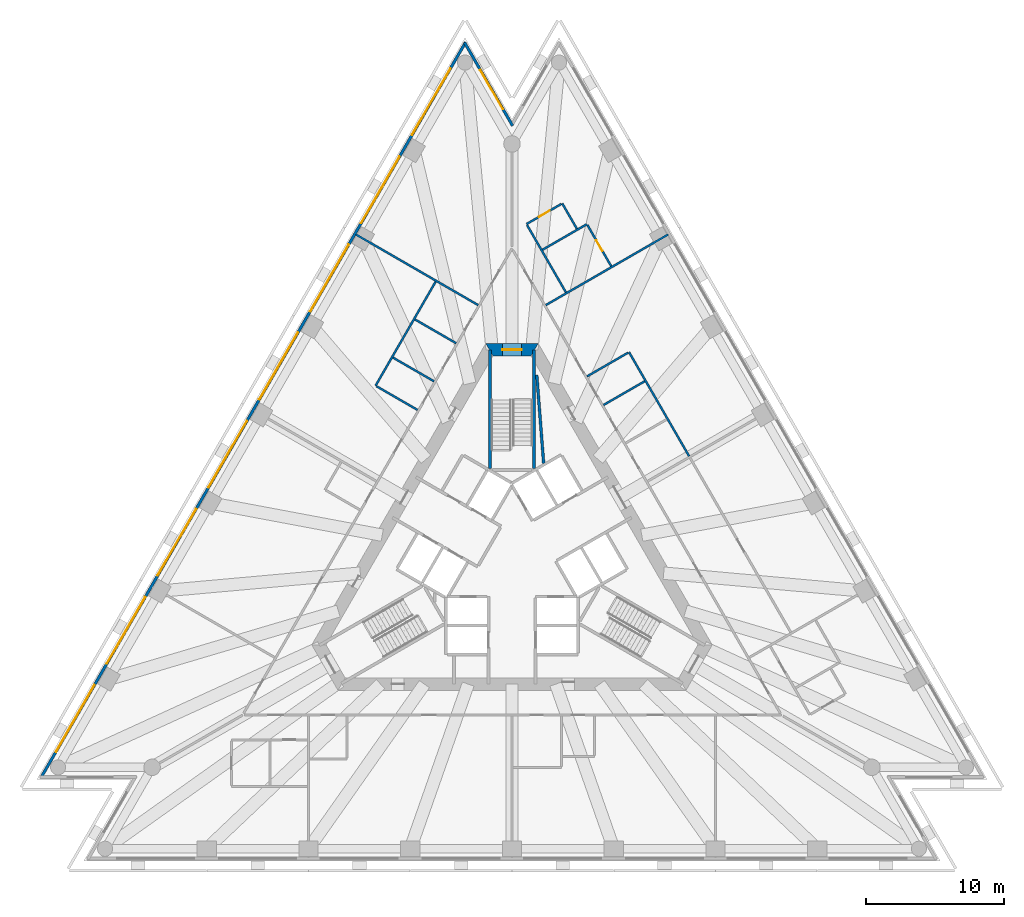
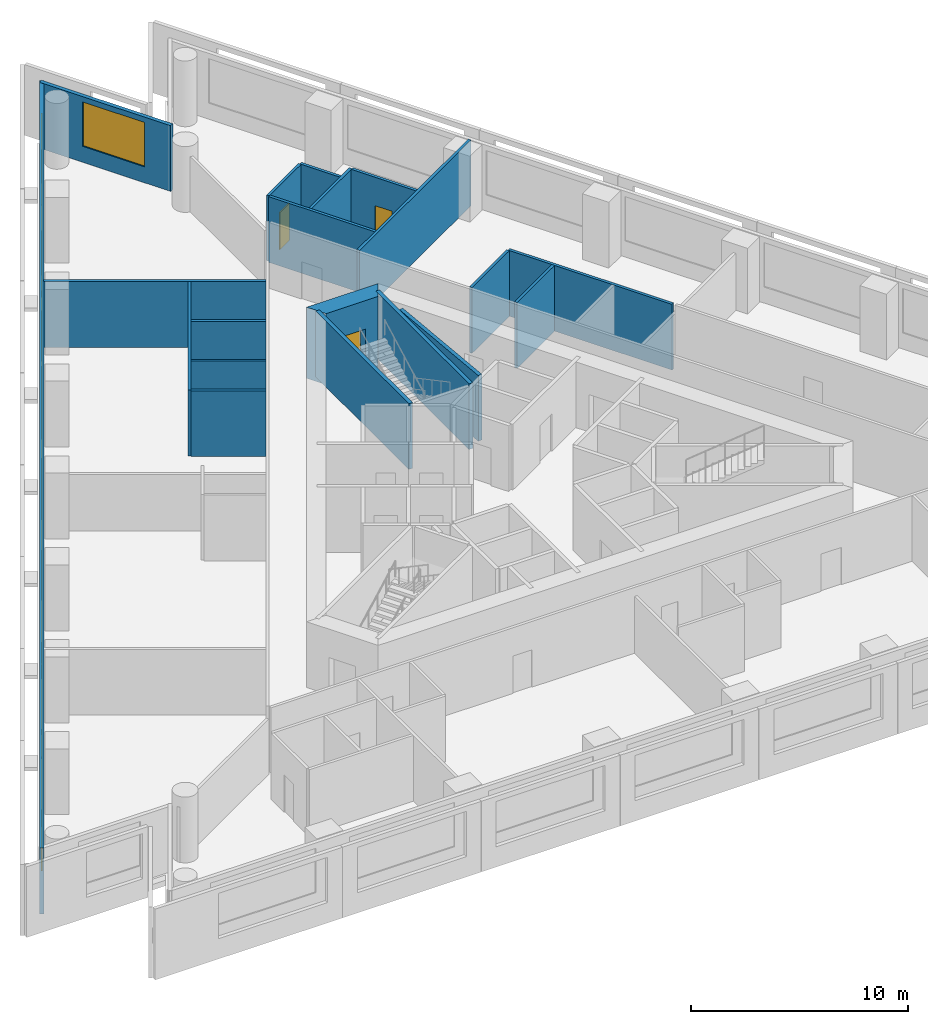
# One storey, part 7 of 11: 20 walls, 9 windows, 3 doors, 12 openings.
"""IFC4 building model written with IfcOpenShell, lengths in metres."""

from ifc_helpers import new_model, si_unit, direction, frame, frame_2d, origin, place, context, subcontext, project, spatial, polyline, rectangle, outline, extrude, material, layer, layer_set, layer_usage, type_object, element, fill, save


model = new_model("IFC4")

# Units and contexts
model_context = context("Model", 3, precision=1e-05, world=origin(), true_north=direction((0.0, 1.0)))
body_context = subcontext(model_context, "Body", "Model", "MODEL_VIEW")
ifc_project = project(units=[si_unit("LENGTHUNIT", "METRE"), si_unit("AREAUNIT", "SQUARE_METRE"), si_unit("VOLUMEUNIT", "CUBIC_METRE"), si_unit("PLANEANGLEUNIT", "RADIAN"), si_unit("MASSUNIT", "GRAM", prefix="KILO")], contexts=[model_context])

# Site, building, storey
site_placement = place(None, origin())
site = spatial("IfcSite", under=ifc_project, at=site_placement, CompositionType="ELEMENT")
building_placement = place(site_placement, origin())
building = spatial("IfcBuilding", under=site, at=building_placement, Name="Triada Interchange Tower", CompositionType="ELEMENT")
storey_placement = place(building_placement, frame((0.0, 0.0, 63.300048828125)))
storey = spatial("IfcBuildingStorey", under=building, at=storey_placement, Name="L13", CompositionType="ELEMENT", Elevation=63.300048828125)

# Walls
ifc_material_1 = material(Name="Concrete C30/37", Category="concrete")
ifc_layer_1 = layer(ifc_material_1, 0.199951171875)
ifc_layer_set_1 = layer_set([ifc_layer_1], Name="CORE WALL 200 EI 90")
wall_type_1 = type_object("IfcWallType", Name="CORE WALL 200 EI 90", PredefinedType="SOLIDWALL", material=ifc_layer_set_1)
wall_1_placement = place(storey_placement, frame((1.800048828125, 13.406005859375, 0.0), z_axis=(0.0, 0.0, 1.0), x_axis=(0.077809933421, -0.996968211259, 0.0)))
element("IfcWall", 1, at=wall_1_placement, inside=storey, type_object=wall_type_1, Name="Wall L12 86", PredefinedType="SOLIDWALL", context=body_context, shape_type="SweptSolid", body=[
    extrude(rectangle(XDim=6.4384765625, YDim=0.199951171875, at=frame_2d((3.21923828125, 0.0))), origin(), (0.0, 0.0, 1.0), 3.699951171875),
])
ifc_layer_2 = layer(ifc_material_1, 0.199951171875)
ifc_layer_set_2 = layer_set([ifc_layer_2], Name="CORE WALL 200 REI 240")
wall_type_2 = type_object("IfcWallType", Name="CORE WALL 200 REI 240", PredefinedType="SOLIDWALL", material=ifc_layer_set_2)
for number, where, z_axis, x_axis, name in (
    (2, (1.60009765625, 6.614990234375, 0.0), (0.0, 0.0, 1.0), (0.0, 1.0, 0.0), "Wall L12 90"),
    (3, (-1.60009765625, 6.614990234375, 0.0), (0.0, 0.0, 1.0), (0.0, 1.0, 0.0), "Wall L12 92"),
):
    element("IfcWall", number, at=place(storey_placement, frame(where, z_axis=z_axis, x_axis=x_axis)), inside=storey, type_object=wall_type_2, Name=name, PredefinedType="SOLIDWALL", context=body_context, shape_type="SweptSolid", body=[
        extrude(rectangle(XDim=8.614990234375, YDim=0.199951171875, at=frame_2d((4.3076171875, 0.0))), origin(), (0.0, 0.0, 1.0), 3.699951171875),
    ])

# Wall, opening, door
ifc_material_2 = material(Name="Concrete C70/85", Category="concrete")
ifc_layer_3 = layer(ifc_material_2, 0.89990234375)
ifc_layer_set_3 = layer_set([ifc_layer_3], Name="Core wall A 900")
wall_type_3 = type_object("IfcWallType", Name="Core wall A 900", PredefinedType="SHEAR", material=ifc_layer_set_3)
wall_2_placement = place(storey_placement, frame((1.64501953125, 15.25, -0.300048828125), z_axis=(0.0, 0.0, 1.0), x_axis=(-1.0, 0.0, 0.0)))
wall_2 = element("IfcWall", 4, at=wall_2_placement, inside=storey, type_object=wall_type_3, Name="Core wall WA01 L13", PredefinedType="SHEAR", context=body_context, shape_type="SweptSolid", body=[
    extrude(outline(polyline([(-0.260009765625, -0.449951171875), (1.64501953125, -0.449951171875), (3.550048828125, -0.449951171875), (3.031005859375, 0.449951171875), (1.64501953125, 0.449951171875), (0.259033203125, 0.449951171875), (-0.260009765625, -0.449951171875)])), origin(), (0.0, 0.0, 1.0), 4.0),
])
opening_1_placement = place(wall_2_placement, frame((0.945068359375, 0.0, 0.300048828125)))
opening_1 = element("IfcOpeningElement", 5, at=opening_1_placement, cuts=wall_2, Name="Opening D12-41", PredefinedType="OPENING", context=body_context, shape_type="SweptSolid", body=[
    extrude(rectangle(XDim=1.39990234375, YDim=2.10009765625, at=frame_2d((0.699951171875, 1.050048828125))), frame((0.0, 0.4599609375, 0.0), z_axis=(0.0, -1.0, 0.0), x_axis=(1.0, 0.0, 0.0)), (0.0, 0.0, 1.0), 0.919921875),
])
ifc_material_3 = material(Name="Steel S235 door leaf", Category="steel")
door_type_1 = type_object("IfcDoorType", Name="STAIR DOOR 1400 EI2 90-C5S200", OperationType="DOUBLE_DOOR_SINGLE_SWING", PredefinedType="DOOR", material=ifc_material_3)
door_1_placement = place(opening_1_placement, origin())
door_1 = element("IfcDoor", 6, at=door_1_placement, inside=storey, type_object=door_type_1, Name="Door D12-41 L13", OperationType="DOUBLE_DOOR_SINGLE_SWING", OverallHeight=2.10009765625, OverallWidth=1.39990234375, PredefinedType="DOOR", context=body_context, shape_type="SweptSolid", body=[
    extrude(rectangle(XDim=1.39990234375, YDim=2.10009765625, at=frame_2d((0.699951171875, 1.050048828125))), frame((0.0, 0.02490234375, 0.0), z_axis=(0.0, -1.0, 0.0), x_axis=(1.0, 0.0, 0.0)), (0.0, 0.0, 1.0), 0.050048828125),
])
fill(opening_1, door_1)

# Wall, openings, windows
ifc_material_4 = material(Name="Cement board")
ifc_layer_4 = layer(ifc_material_4, 0.02001953125, Name="Cement board cladding")
ifc_material_5 = material(Name="Sheathing board")
ifc_layer_5 = layer(ifc_material_5, 0.014892578125, Name="Sheathing board")
ifc_material_6 = material(Name="Mineral wool")
ifc_layer_6 = layer(ifc_material_6, 0.14990234375, Name="Mineral wool between steel studs")
ifc_material_7 = material(Name="Gypsum board")
ifc_layer_7 = layer(ifc_material_7, 0.014892578125, Name="Plasterboard lining")
ifc_layer_set_4 = layer_set([ifc_layer_4, ifc_layer_5, ifc_layer_6, ifc_layer_7], Name="External wall 200")
ifc_layer_usage = layer_usage(ifc_layer_set_4, "AXIS2", "POSITIVE", -0.10009765625)
wall_type_4 = type_object("IfcWallType", Name="External wall 200", PredefinedType="ELEMENTEDWALL", material=ifc_layer_set_4)
wall_3_placement = place(storey_placement, frame((-3.37109375, 37.591064453125, 0.0), z_axis=(0.0, 0.0, 1.0), x_axis=(-0.500006313899, -0.866021758423, 0.0)))
wall_3 = element("IfcWall", 7, at=wall_3_placement, inside=storey, type_object=wall_type_4, material=ifc_layer_usage, Name="External wall L13 NW", PredefinedType="ELEMENTEDWALL", context=body_context, shape_type="SweptSolid", body=[
    extrude(rectangle(XDim=61.718994140625, YDim=0.199951171875, at=frame_2d((30.859375, 0.0))), origin(), (0.0, 0.0, 1.0), 3.699951171875),
])
opening_2_placement = place(wall_3_placement, frame((2.197998046875, 0.0, 0.89990234375)))
opening_2 = element("IfcOpeningElement", 8, at=opening_2_placement, cuts=wall_3, Name="Opening WA01", PredefinedType="OPENING", context=body_context, shape_type="SweptSolid", body=[
    extrude(rectangle(XDim=5.60009765625, YDim=2.5, at=frame_2d((2.800048828125, 1.25))), frame((0.0, 0.10986328125, 0.0), z_axis=(0.0, -1.0, 0.0), x_axis=(1.0, 0.0, 0.0)), (0.0, 0.0, 1.0), 0.219970703125),
])
opening_3_placement = place(wall_3_placement, frame((9.590087890625, 0.0, 0.89990234375)))
opening_3 = element("IfcOpeningElement", 9, at=opening_3_placement, cuts=wall_3, Name="Opening WA02", PredefinedType="OPENING", context=body_context, shape_type="SweptSolid", body=[
    extrude(rectangle(XDim=5.60009765625, YDim=2.5, at=frame_2d((2.800048828125, 1.25))), frame((0.0, 0.10986328125, 0.0), z_axis=(0.0, -1.0, 0.0), x_axis=(1.0, 0.0, 0.0)), (0.0, 0.0, 1.0), 0.219970703125),
])
opening_4_placement = place(wall_3_placement, frame((16.98193359375, 0.0, 0.89990234375)))
opening_4 = element("IfcOpeningElement", 10, at=opening_4_placement, cuts=wall_3, Name="Opening WA03", PredefinedType="OPENING", context=body_context, shape_type="SweptSolid", body=[
    extrude(rectangle(XDim=5.60009765625, YDim=2.5, at=frame_2d((2.800048828125, 1.25))), frame((0.0, 0.10986328125, 0.0), z_axis=(0.0, -1.0, 0.0), x_axis=(1.0, 0.0, 0.0)), (0.0, 0.0, 1.0), 0.219970703125),
])
opening_5_placement = place(wall_3_placement, frame((24.373046875, 0.0, 0.89990234375)))
opening_5 = element("IfcOpeningElement", 11, at=opening_5_placement, cuts=wall_3, Name="Opening WA04", PredefinedType="OPENING", context=body_context, shape_type="SweptSolid", body=[
    extrude(rectangle(XDim=5.60009765625, YDim=2.5, at=frame_2d((2.800048828125, 1.25))), frame((0.0, 0.10986328125, 0.0), z_axis=(0.0, -1.0, 0.0), x_axis=(1.0, 0.0, 0.0)), (0.0, 0.0, 1.0), 0.219970703125),
])
opening_6_placement = place(wall_3_placement, frame((31.764892578125, 0.0, 0.89990234375)))
opening_6 = element("IfcOpeningElement", 12, at=opening_6_placement, cuts=wall_3, Name="Opening WA05", PredefinedType="OPENING", context=body_context, shape_type="SweptSolid", body=[
    extrude(rectangle(XDim=5.60009765625, YDim=2.5, at=frame_2d((2.800048828125, 1.25))), frame((0.0, 0.10986328125, 0.0), z_axis=(0.0, -1.0, 0.0), x_axis=(1.0, 0.0, 0.0)), (0.0, 0.0, 1.0), 0.219970703125),
])
opening_7_placement = place(wall_3_placement, frame((39.156982421875, 0.0, 0.89990234375)))
opening_7 = element("IfcOpeningElement", 13, at=opening_7_placement, cuts=wall_3, Name="Opening WA06", PredefinedType="OPENING", context=body_context, shape_type="SweptSolid", body=[
    extrude(rectangle(XDim=5.60009765625, YDim=2.5, at=frame_2d((2.800048828125, 1.25))), frame((0.0, 0.10986328125, 0.0), z_axis=(0.0, -1.0, 0.0), x_axis=(1.0, 0.0, 0.0)), (0.0, 0.0, 1.0), 0.219970703125),
])
opening_8_placement = place(wall_3_placement, frame((46.548095703125, 0.0, 0.89990234375)))
opening_8 = element("IfcOpeningElement", 14, at=opening_8_placement, cuts=wall_3, Name="Opening WA07", PredefinedType="OPENING", context=body_context, shape_type="SweptSolid", body=[
    extrude(rectangle(XDim=5.60009765625, YDim=2.5, at=frame_2d((2.800048828125, 1.25))), frame((0.0, 0.10986328125, 0.0), z_axis=(0.0, -1.0, 0.0), x_axis=(1.0, 0.0, 0.0)), (0.0, 0.0, 1.0), 0.219970703125),
])
opening_9_placement = place(wall_3_placement, frame((53.93994140625, 0.0, 0.89990234375)))
opening_9 = element("IfcOpeningElement", 15, at=opening_9_placement, cuts=wall_3, Name="Opening WA08", PredefinedType="OPENING", context=body_context, shape_type="SweptSolid", body=[
    extrude(rectangle(XDim=5.60009765625, YDim=2.5, at=frame_2d((2.800048828125, 1.25))), frame((0.0, 0.10986328125, 0.0), z_axis=(0.0, -1.0, 0.0), x_axis=(1.0, 0.0, 0.0)), (0.0, 0.0, 1.0), 0.219970703125),
])
ifc_material_8 = material(Name="Double glazed aluminium window", Category="aluminium")
window_type_1 = type_object("IfcWindowType", Name="Ribbon window A face", PartitioningType="SINGLE_PANEL", PredefinedType="WINDOW", material=ifc_material_8)
window_1_placement = place(opening_2_placement, origin())
window_1 = element("IfcWindow", 16, at=window_1_placement, inside=storey, type_object=window_type_1, Name="Window L13 NW 1", OverallHeight=2.5, OverallWidth=5.60009765625, PartitioningType="SINGLE_PANEL", PredefinedType="WINDOW", context=body_context, shape_type="SweptSolid", body=[
    extrude(rectangle(XDim=5.60009765625, YDim=2.5, at=frame_2d((2.800048828125, 1.25))), frame((0.0, 0.030029296875, 0.0), z_axis=(0.0, -1.0, 0.0), x_axis=(1.0, 0.0, 0.0)), (0.0, 0.0, 1.0), 0.06005859375),
])
fill(opening_2, window_1)
window_2_placement = place(opening_3_placement, origin())
window_2 = element("IfcWindow", 17, at=window_2_placement, inside=storey, type_object=window_type_1, Name="Window L13 NW 2", OverallHeight=2.5, OverallWidth=5.60009765625, PartitioningType="SINGLE_PANEL", PredefinedType="WINDOW", context=body_context, shape_type="SweptSolid", body=[
    extrude(rectangle(XDim=5.60009765625, YDim=2.5, at=frame_2d((2.800048828125, 1.25))), frame((0.0, 0.030029296875, 0.0), z_axis=(0.0, -1.0, 0.0), x_axis=(1.0, 0.0, 0.0)), (0.0, 0.0, 1.0), 0.06005859375),
])
fill(opening_3, window_2)
window_3_placement = place(opening_4_placement, origin())
window_3 = element("IfcWindow", 18, at=window_3_placement, inside=storey, type_object=window_type_1, Name="Window L13 NW 3", OverallHeight=2.5, OverallWidth=5.60009765625, PartitioningType="SINGLE_PANEL", PredefinedType="WINDOW", context=body_context, shape_type="SweptSolid", body=[
    extrude(rectangle(XDim=5.60009765625, YDim=2.5, at=frame_2d((2.800048828125, 1.25))), frame((0.0, 0.030029296875, 0.0), z_axis=(0.0, -1.0, 0.0), x_axis=(1.0, 0.0, 0.0)), (0.0, 0.0, 1.0), 0.06005859375),
])
fill(opening_4, window_3)
window_4_placement = place(opening_5_placement, origin())
window_4 = element("IfcWindow", 19, at=window_4_placement, inside=storey, type_object=window_type_1, Name="Window L13 NW 4", OverallHeight=2.5, OverallWidth=5.60009765625, PartitioningType="SINGLE_PANEL", PredefinedType="WINDOW", context=body_context, shape_type="SweptSolid", body=[
    extrude(rectangle(XDim=5.60009765625, YDim=2.5, at=frame_2d((2.800048828125, 1.25))), frame((0.0, 0.030029296875, 0.0), z_axis=(0.0, -1.0, 0.0), x_axis=(1.0, 0.0, 0.0)), (0.0, 0.0, 1.0), 0.06005859375),
])
fill(opening_5, window_4)
window_5_placement = place(opening_6_placement, origin())
window_5 = element("IfcWindow", 20, at=window_5_placement, inside=storey, type_object=window_type_1, Name="Window L13 NW 5", OverallHeight=2.5, OverallWidth=5.60009765625, PartitioningType="SINGLE_PANEL", PredefinedType="WINDOW", context=body_context, shape_type="SweptSolid", body=[
    extrude(rectangle(XDim=5.60009765625, YDim=2.5, at=frame_2d((2.800048828125, 1.25))), frame((0.0, 0.030029296875, 0.0), z_axis=(0.0, -1.0, 0.0), x_axis=(1.0, 0.0, 0.0)), (0.0, 0.0, 1.0), 0.06005859375),
])
fill(opening_6, window_5)
window_6_placement = place(opening_7_placement, origin())
window_6 = element("IfcWindow", 21, at=window_6_placement, inside=storey, type_object=window_type_1, Name="Window L13 NW 6", OverallHeight=2.5, OverallWidth=5.60009765625, PartitioningType="SINGLE_PANEL", PredefinedType="WINDOW", context=body_context, shape_type="SweptSolid", body=[
    extrude(rectangle(XDim=5.60009765625, YDim=2.5, at=frame_2d((2.800048828125, 1.25))), frame((0.0, 0.030029296875, 0.0), z_axis=(0.0, -1.0, 0.0), x_axis=(1.0, 0.0, 0.0)), (0.0, 0.0, 1.0), 0.06005859375),
])
fill(opening_7, window_6)
window_7_placement = place(opening_8_placement, origin())
window_7 = element("IfcWindow", 22, at=window_7_placement, inside=storey, type_object=window_type_1, Name="Window L13 NW 7", OverallHeight=2.5, OverallWidth=5.60009765625, PartitioningType="SINGLE_PANEL", PredefinedType="WINDOW", context=body_context, shape_type="SweptSolid", body=[
    extrude(rectangle(XDim=5.60009765625, YDim=2.5, at=frame_2d((2.800048828125, 1.25))), frame((0.0, 0.030029296875, 0.0), z_axis=(0.0, -1.0, 0.0), x_axis=(1.0, 0.0, 0.0)), (0.0, 0.0, 1.0), 0.06005859375),
])
fill(opening_8, window_7)
window_8_placement = place(opening_9_placement, origin())
window_8 = element("IfcWindow", 23, at=window_8_placement, inside=storey, type_object=window_type_1, Name="Window L13 NW 8", OverallHeight=2.5, OverallWidth=5.60009765625, PartitioningType="SINGLE_PANEL", PredefinedType="WINDOW", context=body_context, shape_type="SweptSolid", body=[
    extrude(rectangle(XDim=5.60009765625, YDim=2.5, at=frame_2d((2.800048828125, 1.25))), frame((0.0, 0.030029296875, 0.0), z_axis=(0.0, -1.0, 0.0), x_axis=(1.0, 0.0, 0.0)), (0.0, 0.0, 1.0), 0.06005859375),
])
fill(opening_9, window_8)

# Wall, opening, window
wall_4_placement = place(storey_placement, frame((0.044921875, 31.51806640625, 0.0), z_axis=(0.0, 0.0, 1.0), x_axis=(-0.499943085557, 0.86605826086, 0.0)))
wall_4 = element("IfcWall", 24, at=wall_4_placement, inside=storey, type_object=wall_type_4, material=ifc_layer_usage, Name="External wall L13 N-2", PredefinedType="ELEMENTEDWALL", context=body_context, shape_type="SweptSolid", body=[
    extrude(rectangle(XDim=6.992431640625, YDim=0.199951171875, at=frame_2d((3.49609375, 0.0))), origin(), (0.0, 0.0, 1.0), 3.699951171875),
])
opening_10_placement = place(wall_4_placement, frame((1.389892578125, 0.0, 0.89990234375)))
opening_10 = element("IfcOpeningElement", 25, at=opening_10_placement, cuts=wall_4, Name="Opening WA30", PredefinedType="OPENING", context=body_context, shape_type="SweptSolid", body=[
    extrude(rectangle(XDim=3.300048828125, YDim=2.5, at=frame_2d((1.64990234375, 1.25))), frame((0.0, 0.10986328125, 0.0), z_axis=(0.0, -1.0, 0.0), x_axis=(1.0, 0.0, 0.0)), (0.0, 0.0, 1.0), 0.219970703125),
])
window_type_2 = type_object("IfcWindowType", Name="Ribbon window A pocket", PartitioningType="SINGLE_PANEL", PredefinedType="WINDOW", material=ifc_material_8)
window_9_placement = place(opening_10_placement, origin())
window_9 = element("IfcWindow", 26, at=window_9_placement, inside=storey, type_object=window_type_2, Name="Window L13 N-2 1", OverallHeight=2.5, OverallWidth=3.300048828125, PartitioningType="SINGLE_PANEL", PredefinedType="WINDOW", context=body_context, shape_type="SweptSolid", body=[
    extrude(rectangle(XDim=3.300048828125, YDim=2.5, at=frame_2d((1.64990234375, 1.25))), frame((0.0, 0.030029296875, 0.0), z_axis=(0.0, -1.0, 0.0), x_axis=(1.0, 0.0, 0.0)), (0.0, 0.0, 1.0), 0.06005859375),
])
fill(opening_10, window_9)

# Walls
ifc_material_9 = material(Name="Gypsum board partition")
ifc_layer_8 = layer(ifc_material_9, 0.14990234375)
ifc_layer_set_5 = layer_set([ifc_layer_8], Name="PARTITION 150 EI 180")
wall_type_5 = type_object("IfcWallType", Name="PARTITION 150 EI 180", PredefinedType="PARTITIONING", material=ifc_layer_set_5)
wall_5_placement = place(storey_placement, frame((-11.344970703125, 23.6201171875, 0.0), z_axis=(0.0, 0.0, 1.0), x_axis=(0.866010033384, -0.500026621369, 0.0)))
element("IfcWall", 27, at=wall_5_placement, inside=storey, type_object=wall_type_5, Name="Wall L12 13", PredefinedType="PARTITIONING", context=body_context, shape_type="SweptSolid", body=[
    extrude(rectangle(XDim=10.259765625, YDim=0.14990234375, at=frame_2d((5.1298828125, 0.0))), origin(), (0.0, 0.0, 1.0), 3.699951171875),
])
wall_6_placement = place(storey_placement, frame((-9.912109375, 12.631103515625, 0.0), z_axis=(0.0, 0.0, 1.0), x_axis=(0.49992187278, 0.866070505857, 0.0)))
element("IfcWall", 28, at=wall_6_placement, inside=storey, type_object=wall_type_5, Name="Wall L12 14", PredefinedType="PARTITIONING", context=body_context, shape_type="SweptSolid", body=[
    extrude(rectangle(XDim=8.7255859375, YDim=0.14990234375, at=frame_2d((4.36279296875, 0.0))), origin(), (0.0, 0.0, 1.0), 3.699951171875),
])
wall_7_placement = place(storey_placement, frame((-9.846923828125, 12.593994140625, 0.0), z_axis=(0.0, 0.0, 1.0), x_axis=(0.865942736565, -0.500143156496, 0.0)))
element("IfcWall", 29, at=wall_7_placement, inside=storey, type_object=wall_type_5, Name="Wall L12 15", PredefinedType="PARTITIONING", context=body_context, shape_type="SweptSolid", body=[
    extrude(rectangle(XDim=3.44921875, YDim=0.14990234375, at=frame_2d((1.724609375, 0.0))), origin(), (0.0, 0.0, 1.0), 3.699951171875),
])
for number, where, z_axis, x_axis, name in (
    (30, (-8.64697265625, 14.672119140625, 0.0), (0.0, 0.0, 1.0), (0.865960440485, -0.500112502858, 0.0), "Wall L12 16"),
    (31, (-7.047119140625, 17.444091796875, 0.0), (0.0, 0.0, 1.0), (0.865960440485, -0.500112502858, 0.0), "Wall L12 17"),
):
    element("IfcWall", number, at=place(storey_placement, frame(where, z_axis=z_axis, x_axis=x_axis)), inside=storey, type_object=wall_type_5, Name=name, PredefinedType="PARTITIONING", context=body_context, shape_type="SweptSolid", body=[
        extrude(rectangle(XDim=3.449462890625, YDim=0.14990234375, at=frame_2d((1.724609375, 0.0))), origin(), (0.0, 0.0, 1.0), 3.699951171875),
    ])
wall_8_placement = place(storey_placement, frame((2.4599609375, 18.489990234375, 0.0), z_axis=(0.0, 0.0, 1.0), x_axis=(0.866010033384, 0.500026621369, 0.0)))
element("IfcWall", 32, at=wall_8_placement, inside=storey, type_object=wall_type_5, Name="Wall L12 23", PredefinedType="PARTITIONING", context=body_context, shape_type="SweptSolid", body=[
    extrude(rectangle(XDim=10.259765625, YDim=0.14990234375, at=frame_2d((5.1298828125, 0.0))), origin(), (0.0, 0.0, 1.0), 3.699951171875),
])
wall_9_placement = place(storey_placement, frame((8.50390625, 15.070068359375, 0.0), z_axis=(0.0, 0.0, 1.0), x_axis=(0.500042162787, -0.86600105972, 0.0)))
element("IfcWall", 33, at=wall_9_placement, inside=storey, type_object=wall_type_5, Name="Wall L12 26", PredefinedType="PARTITIONING", context=body_context, shape_type="SweptSolid", body=[
    extrude(rectangle(XDim=8.725341796875, YDim=0.14990234375, at=frame_2d((4.36279296875, 0.0))), origin(), (0.0, 0.0, 1.0), 3.699951171875),
])
for number, where, z_axis, x_axis, name in (
    (34, (5.450927734375, 13.30810546875, 0.0), (0.0, 0.0, 1.0), (0.866061862632, 0.499936846106, 0.0), "Wall L12 27"),
    (35, (6.65087890625, 11.22900390625, 0.0), (0.0, 0.0, 1.0), (0.866031223622, 0.49998991961, 0.0), "Wall L12 28"),
):
    element("IfcWall", number, at=place(storey_placement, frame(where, z_axis=z_axis, x_axis=x_axis)), inside=storey, type_object=wall_type_5, Name=name, PredefinedType="PARTITIONING", context=body_context, shape_type="SweptSolid", body=[
        extrude(rectangle(XDim=3.4501953125, YDim=0.14990234375, at=frame_2d((1.72509765625, 0.0))), origin(), (0.0, 0.0, 1.0), 3.699951171875),
    ])
ifc_layer_9 = layer(ifc_material_9, 0.14990234375)
ifc_layer_set_6 = layer_set([ifc_layer_9], Name="PARTITION 150 EI 90")
wall_type_6 = type_object("IfcWallType", Name="PARTITION 150 EI 90", PredefinedType="PARTITIONING", material=ifc_layer_set_6)
wall_10_placement = place(storey_placement, frame((2.218017578125, 22.508056640625, 0.0), z_axis=(0.0, 0.0, 1.0), x_axis=(0.866085180849, 0.499896448792, 0.0)))
element("IfcWall", 36, at=wall_10_placement, inside=storey, type_object=wall_type_6, Name="Wall L12 36", PredefinedType="PARTITIONING", context=body_context, shape_type="SweptSolid", body=[
    extrude(rectangle(XDim=3.724853515625, YDim=0.14990234375, at=frame_2d((1.8623046875, 0.0))), origin(), (0.0, 0.0, 1.0), 3.699951171875),
])
wall_11_placement = place(storey_placement, frame((3.65087890625, 25.875, 0.0), z_axis=(0.0, 0.0, 1.0), x_axis=(0.500302479123, -0.865850696935, 0.0)))
element("IfcWall", 37, at=wall_11_placement, inside=storey, type_object=wall_type_6, Name="Wall L12 37", PredefinedType="PARTITIONING", context=body_context, shape_type="SweptSolid", body=[
    extrude(rectangle(XDim=2.125244140625, YDim=0.14990234375, at=frame_2d((1.0625, 0.0))), origin(), (0.0, 0.0, 1.0), 3.699951171875),
])

# Wall, opening, door
wall_12_placement = place(storey_placement, frame((1.052978515625, 24.375, 0.0), z_axis=(0.0, 0.0, 1.0), x_axis=(0.866036909293, 0.499980071345, 0.0)))
wall_12 = element("IfcWall", 38, at=wall_12_placement, inside=storey, type_object=wall_type_6, Name="Wall L12 39", PredefinedType="PARTITIONING", context=body_context, shape_type="SweptSolid", body=[
    extrude(rectangle(XDim=2.92578125, YDim=0.14990234375, at=frame_2d((1.462890625, 0.0))), origin(), (0.0, 0.0, 1.0), 3.699951171875),
])
opening_11_placement = place(wall_12_placement, frame((1.051025390625, 0.0, 0.0)))
opening_11 = element("IfcOpeningElement", 39, at=opening_11_placement, cuts=wall_12, Name="Opening D12-31", PredefinedType="OPENING", context=body_context, shape_type="SweptSolid", body=[
    extrude(rectangle(XDim=0.89990234375, YDim=2.10009765625, at=frame_2d((0.449951171875, 1.050048828125))), frame((0.0, 0.0849609375, 0.0), z_axis=(0.0, -1.0, 0.0), x_axis=(1.0, 0.0, 0.0)), (0.0, 0.0, 1.0), 0.169921875),
])
door_type_2 = type_object("IfcDoorType", Name="SERVICE DOOR 900 EI2 45-C5S200", OperationType="NOTDEFINED", PredefinedType="DOOR", material=ifc_material_3)
door_2_placement = place(opening_11_placement, origin())
door_2 = element("IfcDoor", 40, at=door_2_placement, inside=storey, type_object=door_type_2, Name="Door D12-31 L13", OperationType="SINGLE_SWING_RIGHT", OverallHeight=2.10009765625, OverallWidth=0.89990234375, PredefinedType="DOOR", context=body_context, shape_type="SweptSolid", body=[
    extrude(rectangle(XDim=0.89990234375, YDim=2.10009765625, at=frame_2d((0.449951171875, 1.050048828125))), frame((0.0, 0.02490234375, 0.0), z_axis=(0.0, -1.0, 0.0), x_axis=(1.0, 0.0, 0.0)), (0.0, 0.0, 1.0), 0.050048828125),
])
fill(opening_11, door_2)

# Wall
wall_13_placement = place(storey_placement, frame((1.091064453125, 24.31005859375, 0.0), z_axis=(0.0, 0.0, 1.0), x_axis=(0.499991765245, -0.86603015807, 0.0)))
element("IfcWall", 41, at=wall_13_placement, inside=storey, type_object=wall_type_6, Name="Wall L12 40", PredefinedType="PARTITIONING", context=body_context, shape_type="SweptSolid", body=[
    extrude(rectangle(XDim=5.64990234375, YDim=0.14990234375, at=frame_2d((2.824951171875, 0.0))), origin(), (0.0, 0.0, 1.0), 3.699951171875),
])

# Wall, opening, door
wall_14_placement = place(storey_placement, frame((5.48193359375, 24.304931640625, 0.0), z_axis=(0.0, 0.0, 1.0), x_axis=(0.49998991961, -0.866031223622, 0.0)))
wall_14 = element("IfcWall", 42, at=wall_14_placement, inside=storey, type_object=wall_type_6, Name="Wall L12 42", PredefinedType="PARTITIONING", context=body_context, shape_type="SweptSolid", body=[
    extrude(rectangle(XDim=3.4501953125, YDim=0.14990234375, at=frame_2d((1.72509765625, 0.0))), origin(), (0.0, 0.0, 1.0), 3.699951171875),
])
opening_12_placement = place(wall_14_placement, frame((1.27490234375, 0.0, 0.0)))
opening_12 = element("IfcOpeningElement", 43, at=opening_12_placement, cuts=wall_14, Name="Opening D12-30", PredefinedType="OPENING", context=body_context, shape_type="SweptSolid", body=[
    extrude(rectangle(XDim=0.89990234375, YDim=2.10009765625, at=frame_2d((0.449951171875, 1.050048828125))), frame((0.0, 0.0849609375, 0.0), z_axis=(0.0, -1.0, 0.0), x_axis=(1.0, 0.0, 0.0)), (0.0, 0.0, 1.0), 0.169921875),
])
door_type_3 = type_object("IfcDoorType", Name="ROOM DOOR 900 EI2 45-C5S200", OperationType="NOTDEFINED", PredefinedType="DOOR", material=ifc_material_3)
door_3_placement = place(opening_12_placement, origin())
door_3 = element("IfcDoor", 44, at=door_3_placement, inside=storey, type_object=door_type_3, Name="Door D12-30 L13", OperationType="SINGLE_SWING_LEFT", OverallHeight=2.10009765625, OverallWidth=0.89990234375, PredefinedType="DOOR", context=body_context, shape_type="SweptSolid", body=[
    extrude(rectangle(XDim=0.89990234375, YDim=2.10009765625, at=frame_2d((0.449951171875, 1.050048828125))), frame((0.0, 0.02490234375, 0.0), z_axis=(0.0, -1.0, 0.0), x_axis=(1.0, 0.0, 0.0)), (0.0, 0.0, 1.0), 0.050048828125),
])
fill(opening_12, door_3)

save(model, "model.ifc")
